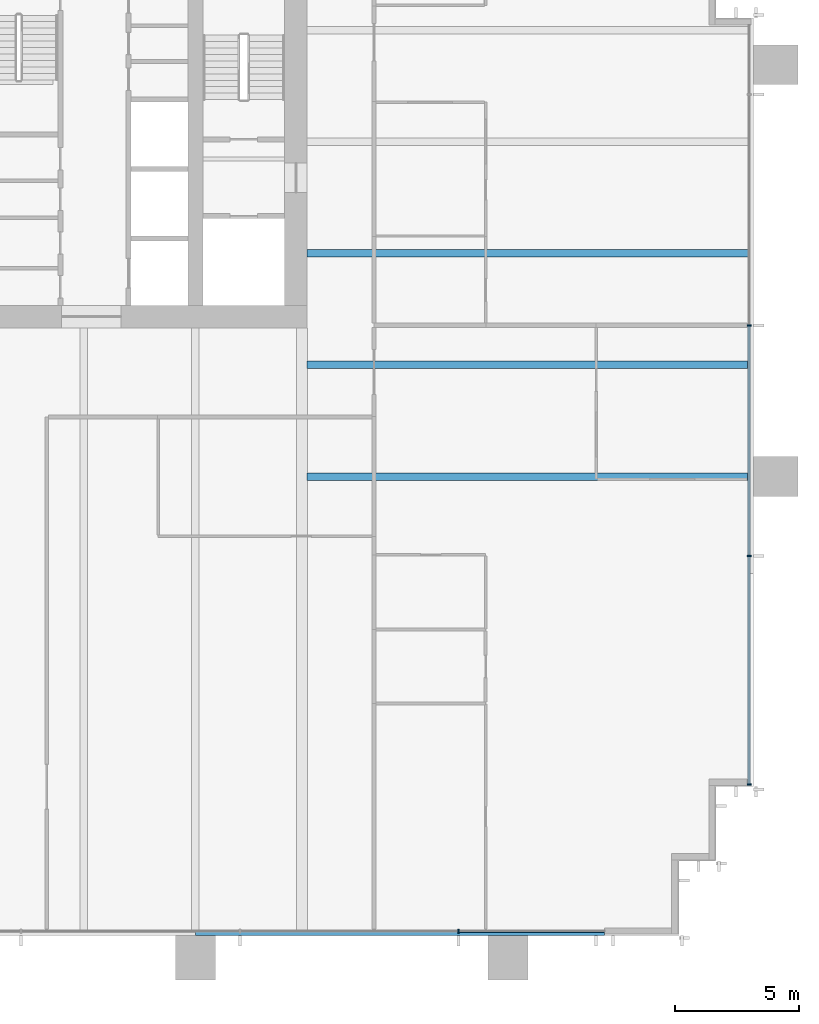
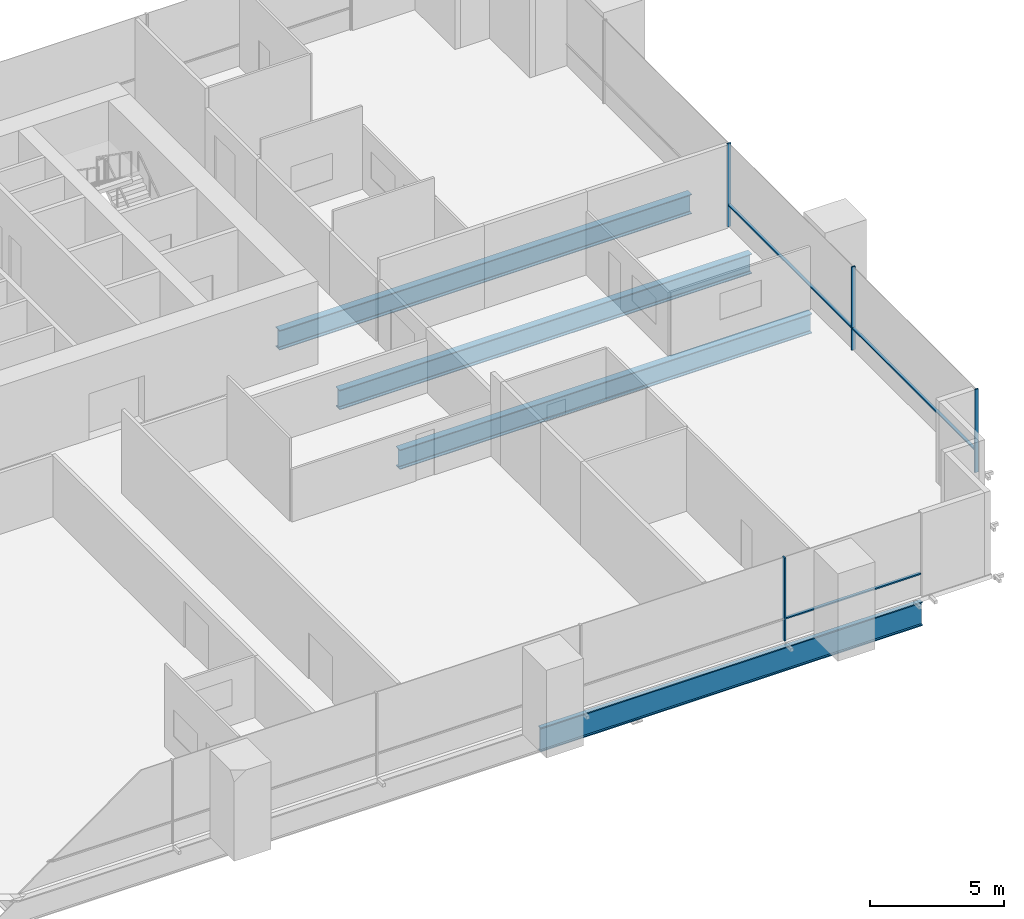
# One storey, part 6 of 17: 7 members, 4 beams, 2 elements without a shape of their own.
"""IFC4 building model written with IfcOpenShell, lengths in metres."""

import ifcopenshell
import ifcopenshell.guid

model = None  # the IFC model being written
_history = None  # IfcOwnerHistory: only IFC2X3 demands one
_inside = {}  # id of a spatial element -> (the spatial element, [elements in it])
_under = {}  # id of a project, library or spatial element -> (it, [spatial elements below it])
_declared = {}  # id of a project -> (the project, [libraries it declares])
_typed = {}  # id of a type object -> (the type object, [elements of that type])
_made_of = {}  # id of a material, layer set ... -> (it, [elements and type objects made of it])


def new_model(schema):
    """Start an empty IFC model of exactly this schema.

    Asked for "IFC4X3", IfcOpenShell would pick the latest addendum, in which some entities
    have other attributes; the version numbers below select the first issue.
    IFC2X3 requires an IfcOwnerHistory on every rooted entity: one is made here for all.
    """
    global model, _history
    if schema == "IFC4X3":
        model = ifcopenshell.file(schema_version=(4, 3, 0, 0))
    else:
        model = ifcopenshell.file(schema=schema)
    _inside.clear()
    _under.clear()
    _declared.clear()
    _typed.clear()
    _made_of.clear()
    _history = None
    if model.schema == "IFC2X3":
        org = make("IfcOrganization", Name="unknown")
        user = make(
            "IfcPersonAndOrganization",
            ThePerson=make("IfcPerson", FamilyName="unknown"),
            TheOrganization=org,
        )
        app = make(
            "IfcApplication",
            ApplicationDeveloper=org,
            Version="unknown",
            ApplicationFullName="unknown",
            ApplicationIdentifier="unknown",
        )
        _history = make(
            "IfcOwnerHistory",
            OwningUser=user,
            OwningApplication=app,
            ChangeAction="ADDED",
            CreationDate=0,
        )
    return model


def make(cls, **values):
    """One entity of the class cls with the attributes given. An attribute that is None is left unset."""
    return model.create_entity(
        cls, **{name: value for name, value in values.items() if value is not None}
    )


def rooted(cls, **values):
    """An entity with a GlobalId (a new one), such as an element, a storey or a relation."""
    return make(cls, GlobalId=ifcopenshell.guid.new(), OwnerHistory=_history, **values)


def si_unit(unit_type, name, prefix=None):
    """IfcSIUnit, for example si_unit("LENGTHUNIT", "METRE", prefix="MILLI")."""
    return make("IfcSIUnit", UnitType=unit_type, Prefix=prefix, Name=name)


def assignment(units):
    """IfcUnitAssignment: the units of a project."""
    return None if units is None else make("IfcUnitAssignment", Units=units)


def point(xyz):
    """IfcCartesianPoint."""
    return None if xyz is None else make("IfcCartesianPoint", Coordinates=xyz)


def direction(xyz):
    """IfcDirection."""
    return None if xyz is None else make("IfcDirection", DirectionRatios=xyz)


def frame(location, z_axis=None, x_axis=None):
    """IfcAxis2Placement3D, a coordinate frame: its origin and axes. An axis left out is left unset."""
    return make(
        "IfcAxis2Placement3D",
        Location=point(location),
        Axis=direction(z_axis),
        RefDirection=direction(x_axis),
    )


def frame_2d(location, x_axis=None):
    """IfcAxis2Placement2D, a coordinate frame in the plane: its origin and x axis."""
    return make(
        "IfcAxis2Placement2D", Location=point(location), RefDirection=direction(x_axis)
    )


def origin():
    """The frame at (0, 0, 0) with its axes left unset."""
    return frame((0.0, 0.0, 0.0))


def origin_2d():
    """The frame at (0, 0) in the plane with its x axis left unset."""
    return frame_2d((0.0, 0.0))


def place(relative_to, where):
    """IfcLocalPlacement: puts the frame where relative to a parent placement (None: the world)."""
    return make(
        "IfcLocalPlacement", PlacementRelTo=relative_to, RelativePlacement=where
    )


def context(
    kind, dimensions, precision=None, world=None, true_north=None, identifier=None
):
    """IfcGeometricRepresentationContext, for example the 3D "Model" context."""
    return make(
        "IfcGeometricRepresentationContext",
        ContextIdentifier=identifier,
        ContextType=kind,
        CoordinateSpaceDimension=dimensions,
        Precision=precision,
        WorldCoordinateSystem=world,
        TrueNorth=true_north,
    )


def subcontext(parent, identifier, kind, view, scale=None):
    """IfcGeometricRepresentationSubContext, for example "Body" below "Model"."""
    return make(
        "IfcGeometricRepresentationSubContext",
        ContextIdentifier=identifier,
        ContextType=kind,
        ParentContext=parent,
        TargetScale=scale,
        TargetView=view,
    )


def project(units=None, contexts=None):
    """IfcProject with its units and contexts."""
    return rooted(
        "IfcProject",
        Name="project",
        RepresentationContexts=contexts,
        UnitsInContext=assignment(units),
    )


def spatial(cls, under=None, at=None, **own):
    """A site, building, storey or space (cls), placed at a placement, below another one or the project."""
    s = rooted(cls, ObjectPlacement=at, **own)
    if under is not None:
        _under.setdefault(under.id(), (under, []))[1].append(s)
    return s


def profile(cls, at=None, kind="AREA", **sizes):
    """A parametric profile (cls). Its sizes go by their IFC names, for example OverallWidth=200.0."""
    return make(cls, ProfileType=kind, Position=at, **sizes)


def rectangle(**sizes):
    """IfcRectangleProfileDef."""
    return profile("IfcRectangleProfileDef", **sizes)


def i_section(**sizes):
    """IfcIShapeProfileDef."""
    return profile("IfcIShapeProfileDef", **sizes)


def extrude(swept, where, along, depth):
    """IfcExtrudedAreaSolid: the profile swept, set in the frame where, extruded along a direction by depth."""
    return make(
        "IfcExtrudedAreaSolid",
        SweptArea=swept,
        Position=where,
        ExtrudedDirection=direction(along),
        Depth=depth,
    )


def shape(context_of_items, identifier, shape_type, items):
    """IfcShapeRepresentation: the items that make up one representation, for example the "Body"."""
    return make(
        "IfcShapeRepresentation",
        ContextOfItems=context_of_items,
        RepresentationIdentifier=identifier,
        RepresentationType=shape_type,
        Items=items,
    )


def material(Name=None, Category=None):
    """IfcMaterial."""
    return make("IfcMaterial", Name=Name, Category=Category)


def material_profile(
    of_material, cross_section, Name=None, Category=None, Priority=None
):
    """IfcMaterialProfile: a cross section and its material."""
    return make(
        "IfcMaterialProfile",
        Name=Name,
        Material=of_material,
        Profile=cross_section,
        Priority=Priority,
        Category=Category,
    )


def profile_set(profiles, Name=None, composite=None):
    """IfcMaterialProfileSet."""
    return make(
        "IfcMaterialProfileSet",
        Name=Name,
        MaterialProfiles=profiles,
        CompositeProfile=composite,
    )


def made_of(thing, what):
    """Note that an element or type object is made of a material, layer set ...; save() writes the relation."""
    if what is not None:
        _made_of.setdefault(what.id(), (what, []))[1].append(thing)
    return thing


def type_object(cls, material=None, **own):
    """A type object (cls), such as IfcWallType, which elements share."""
    return made_of(rooted(cls, **own), material)


def element(
    cls,
    number,
    at=None,
    inside=None,
    cuts=None,
    type_object=None,
    material=None,
    context=None,
    identifier="Body",
    shape_type=None,
    held_by="IfcProductDefinitionShape",
    body=None,
    shapes=None,
    **own,
):
    """One element of the class cls, such as IfcWall. Its Tag is "e" and its number.

    at: its placement. inside: the storey or other place that contains it. cuts: it is an
    opening in that element (IfcRelVoidsElement). A single representation is given by context,
    identifier, shape_type and body (its items); several are given by shapes. held_by: the class
    of the entity that holds the representations. save() writes the other relations.
    """
    e = rooted(cls, Tag="e%d" % number, ObjectPlacement=at, **own)
    if body is not None:
        shapes = [shape(context, identifier, shape_type, body)]
    if shapes is not None:
        e.Representation = make(held_by, Representations=shapes)
    if inside is not None:
        _inside.setdefault(inside.id(), (inside, []))[1].append(e)
    if cuts is not None:
        rooted(
            "IfcRelVoidsElement", RelatingBuildingElement=cuts, RelatedOpeningElement=e
        )
    if type_object is not None:
        _typed.setdefault(type_object.id(), (type_object, []))[1].append(e)
    return made_of(e, material)


def aggregate(whole, parts):
    """IfcRelAggregates: a whole, such as a stair, and the parts it consists of."""
    return rooted("IfcRelAggregates", RelatingObject=whole, RelatedObjects=parts)


def save(model, path):
    """Write the relations noted so far, then the file.

    IfcRelAggregates (storeys below a building ...), IfcRelContainedInSpatialStructure (elements
    in a storey), IfcRelDefinesByType, IfcRelAssociatesMaterial and IfcRelDeclares: one each for
    every whole, place, type object, material and project.
    """
    for whole, parts in _under.values():
        aggregate(whole, parts)
    for where, things in _inside.values():
        rooted(
            "IfcRelContainedInSpatialStructure",
            RelatedElements=things,
            RelatingStructure=where,
        )
    for kind, things in _typed.values():
        rooted("IfcRelDefinesByType", RelatedObjects=things, RelatingType=kind)
    for what, things in _made_of.values():
        rooted("IfcRelAssociatesMaterial", RelatedObjects=things, RelatingMaterial=what)
    for by, libraries in _declared.values():
        rooted("IfcRelDeclares", RelatingContext=by, RelatedDefinitions=libraries)
    model.write(path)


model = new_model("IFC4")

# Units and contexts
model_context = context("Model", 3, precision=1e-05, world=origin(), true_north=direction((0.0, 1.0)))
body_context = subcontext(model_context, "Body", "Model", "MODEL_VIEW")
ifc_project = project(units=[si_unit("LENGTHUNIT", "METRE"), si_unit("AREAUNIT", "SQUARE_METRE"), si_unit("VOLUMEUNIT", "CUBIC_METRE"), si_unit("PLANEANGLEUNIT", "RADIAN"), si_unit("MASSUNIT", "GRAM", prefix="KILO")], contexts=[model_context])

# Site, building, storey
site_placement = place(None, origin())
site = spatial("IfcSite", under=ifc_project, at=site_placement, CompositionType="ELEMENT")
building_placement = place(site_placement, origin())
building = spatial("IfcBuilding", under=site, at=building_placement, Name="Rattan Terrace Tower", CompositionType="ELEMENT")
storey_placement = place(building_placement, frame((0.0, 0.0, 95.699951171875)))
storey = spatial("IfcBuildingStorey", under=building, at=storey_placement, Name="L21", CompositionType="ELEMENT", Elevation=95.699951171875)

# Curtain wall, members
ifc_material_1 = material(Name="Aluminium and glass", Category="aluminium")
curtain_wall_type = type_object("IfcCurtainWallType", Name="Facade Unitised Curtain Wall", PredefinedType="NOTDEFINED", material=ifc_material_1)
curtain_wall_1_placement = place(storey_placement, origin())
curtain_wall_1 = element("IfcCurtainWall", 1, at=curtain_wall_1_placement, inside=storey, type_object=curtain_wall_type, Name="Curtain wall L21-1", PredefinedType="NOTDEFINED")
ifc_material_2 = material(Name="Aluminium", Category="aluminium")
ifc_material_profile_1 = material_profile(ifc_material_2, rectangle(XDim=0.06005859375, YDim=0.159912109375, at=origin_2d()), Name="Aluminium 60x160")
ifc_profile_set_1 = profile_set([ifc_material_profile_1], Name="Aluminium")
member_type_1 = type_object("IfcMemberType", Name="Facade CW Mullion 60x160", PredefinedType="MULLION", material=ifc_profile_set_1)
member_1_placement = place(storey_placement, frame((35.830078125, -25.925048828125, 0.0), z_axis=(0.0, 0.0, 1.0), x_axis=(0.0, 1.0, 0.0)))
member_1 = element("IfcMember", 2, at=member_1_placement, type_object=member_type_1, Name="Mullion cwl-L21-001.1", PredefinedType="MULLION", context=body_context, shape_type="SweptSolid", body=[
    extrude(rectangle(XDim=0.06005859375, YDim=0.159912109375, at=origin_2d()), origin(), (0.0, 0.0, 1.0), 3.800048828125),
])
member_2_placement = place(storey_placement, frame((35.830078125, -16.699951171875, 0.0), z_axis=(0.0, 0.0, 1.0), x_axis=(0.0, 1.0, 0.0)))
member_2 = element("IfcMember", 3, at=member_2_placement, type_object=member_type_1, Name="Mullion cwl-L21-001.2", PredefinedType="MULLION", context=body_context, shape_type="SweptSolid", body=[
    extrude(rectangle(XDim=0.06005859375, YDim=0.159912109375, at=origin_2d()), origin(), (0.0, 0.0, 1.0), 3.800048828125),
])
member_3_placement = place(storey_placement, frame((35.830078125, -7.39990234375, 0.0), z_axis=(0.0, 0.0, 1.0), x_axis=(0.0, 1.0, 0.0)))
member_3 = element("IfcMember", 4, at=member_3_placement, type_object=member_type_1, Name="Mullion cwl-L21-001.3", PredefinedType="MULLION", context=body_context, shape_type="SweptSolid", body=[
    extrude(rectangle(XDim=0.06005859375, YDim=0.159912109375, at=origin_2d()), origin(), (0.0, 0.0, 1.0), 3.800048828125),
])

# Curtain wall, member
curtain_wall_2_placement = place(storey_placement, origin())
curtain_wall_2 = element("IfcCurtainWall", 5, at=curtain_wall_2_placement, inside=storey, type_object=curtain_wall_type, Name="Curtain wall L21-4", PredefinedType="NOTDEFINED")
member_4_placement = place(storey_placement, frame((24.114990234375, -31.830078125, 0.0), z_axis=(0.0, 0.0, 1.0), x_axis=(1.0, 0.0, 0.0)))
member_4 = element("IfcMember", 6, at=member_4_placement, type_object=member_type_1, Name="Mullion cwl-L21-004.6", PredefinedType="MULLION", context=body_context, shape_type="SweptSolid", body=[
    extrude(rectangle(XDim=0.06005859375, YDim=0.159912109375, at=origin_2d()), origin(), (0.0, 0.0, 1.0), 3.800048828125),
])

# Member
ifc_material_3 = material(Name="Aluminium", Category="aluminium")
ifc_material_profile_2 = material_profile(ifc_material_3, rectangle(XDim=0.1201171875, YDim=0.06005859375, at=origin_2d()), Name="Aluminium 120x60")
ifc_profile_set_2 = profile_set([ifc_material_profile_2], Name="Aluminium")
member_type_2 = type_object("IfcMemberType", Name="Facade CW Transom 120x60", PredefinedType="USERDEFINED", material=ifc_profile_set_2)
member_5_placement = place(storey_placement, frame((35.830078125, -25.89501953125, 1.0), z_axis=(0.0, 1.0, 0.0), x_axis=(-1.0, 0.0, 0.0)))
member_5 = element("IfcMember", 7, at=member_5_placement, type_object=member_type_2, Name="Transom cwl-L21-001.1", ObjectType="TRANSOM", PredefinedType="USERDEFINED", context=body_context, shape_type="SweptSolid", body=[
    extrude(rectangle(XDim=0.1201171875, YDim=0.06005859375, at=origin_2d()), origin(), (0.0, 0.0, 1.0), 9.1650390625),
])

member_6_placement = place(storey_placement, frame((35.830078125, -16.669921875, 1.0), z_axis=(0.0, 1.0, 0.0), x_axis=(-1.0, 0.0, 0.0)))
member_6 = element("IfcMember", 8, at=member_6_placement, type_object=member_type_2, Name="Transom cwl-L21-001.2", ObjectType="TRANSOM", PredefinedType="USERDEFINED", context=body_context, shape_type="SweptSolid", body=[
    extrude(rectangle(XDim=0.1201171875, YDim=0.06005859375, at=origin_2d()), origin(), (0.0, 0.0, 1.0), 9.239990234375),
])

aggregate(curtain_wall_1, [member_1, member_2, member_3, member_5, member_6])

member_7_placement = place(storey_placement, frame((24.14501953125, -31.830078125, 1.0), z_axis=(1.0, 0.0, 0.0), x_axis=(0.0, 1.0, 0.0)))
member_7 = element("IfcMember", 9, at=member_7_placement, type_object=member_type_2, Name="Transom cwl-L21-004.6", ObjectType="TRANSOM", PredefinedType="USERDEFINED", context=body_context, shape_type="SweptSolid", body=[
    extrude(rectangle(XDim=0.1201171875, YDim=0.06005859375, at=origin_2d()), origin(), (0.0, 0.0, 1.0), 5.85498046875),
])

aggregate(curtain_wall_2, [member_4, member_7])

# Beams
ifc_material_4 = material(Name="Steel S460", Category="steel")
ifc_material_profile_3 = material_profile(ifc_material_4, i_section(OverallWidth=0.179931640625, OverallDepth=1.10009765625, WebThickness=0.01611328125, FlangeThickness=0.050048828125, at=origin_2d()), Name="PG 1100x180-16-50")
ifc_profile_set_3 = profile_set([ifc_material_profile_3], Name="Steel S460")
beam_type_1 = type_object("IfcBeamType", Name="Frame edge girder PG 1100x180-16-50", PredefinedType="SPANDREL", material=ifc_profile_set_3)
beam_placement = place(storey_placement, frame((30.0, -31.909912109375, -0.75), z_axis=(-1.0, 0.0, 0.0), x_axis=(0.0, -1.0, 0.0)))
element("IfcBeam", 10, at=beam_placement, inside=storey, type_object=beam_type_1, Name="gdr-L21-003", PredefinedType="SPANDREL", context=body_context, shape_type="SweptSolid", body=[
    extrude(i_section(OverallWidth=0.179931640625, OverallDepth=1.10009765625, WebThickness=0.01611328125, FlangeThickness=0.050048828125, at=origin_2d()), origin(), (0.0, 0.0, 1.0), 16.5),
])
ifc_material_5 = material(Name="Steel S355", Category="steel")
ifc_material_profile_4 = material_profile(ifc_material_5, i_section(OverallWidth=0.300048828125, OverallDepth=0.89990234375, WebThickness=0.0185546875, FlangeThickness=0.034912109375, FilletRadius=0.030029296875, at=origin_2d()), Name="HE 900 B")
ifc_profile_set_4 = profile_set([ifc_material_profile_4], Name="Steel S355")
beam_type_2 = type_object("IfcBeamType", Name="Frame floor beam HE 900 B", PredefinedType="JOIST", material=ifc_profile_set_4)
for number, where, z_axis, x_axis, name in (
    (11, (18.0, -13.5, -0.64990234375), (1.0, 0.0, 0.0), (0.0, 1.0, 0.0), "bm-L21-010"),
    (12, (18.0, -9.0, -0.64990234375), (1.0, 0.0, 0.0), (0.0, 1.0, 0.0), "bm-L21-011"),
    (13, (18.0, -4.5, -0.64990234375), (1.0, 0.0, 0.0), (0.0, 1.0, 0.0), "bm-L21-013"),
):
    element("IfcBeam", number, at=place(storey_placement, frame(where, z_axis=z_axis, x_axis=x_axis)), inside=storey, type_object=beam_type_2, Name=name, PredefinedType="JOIST", context=body_context, shape_type="SweptSolid", body=[
        extrude(i_section(OverallWidth=0.300048828125, OverallDepth=0.89990234375, WebThickness=0.0185546875, FlangeThickness=0.034912109375, FilletRadius=0.030029296875, at=origin_2d()), origin(), (0.0, 0.0, 1.0), 17.820068359375),
    ])

save(model, "model.ifc")
